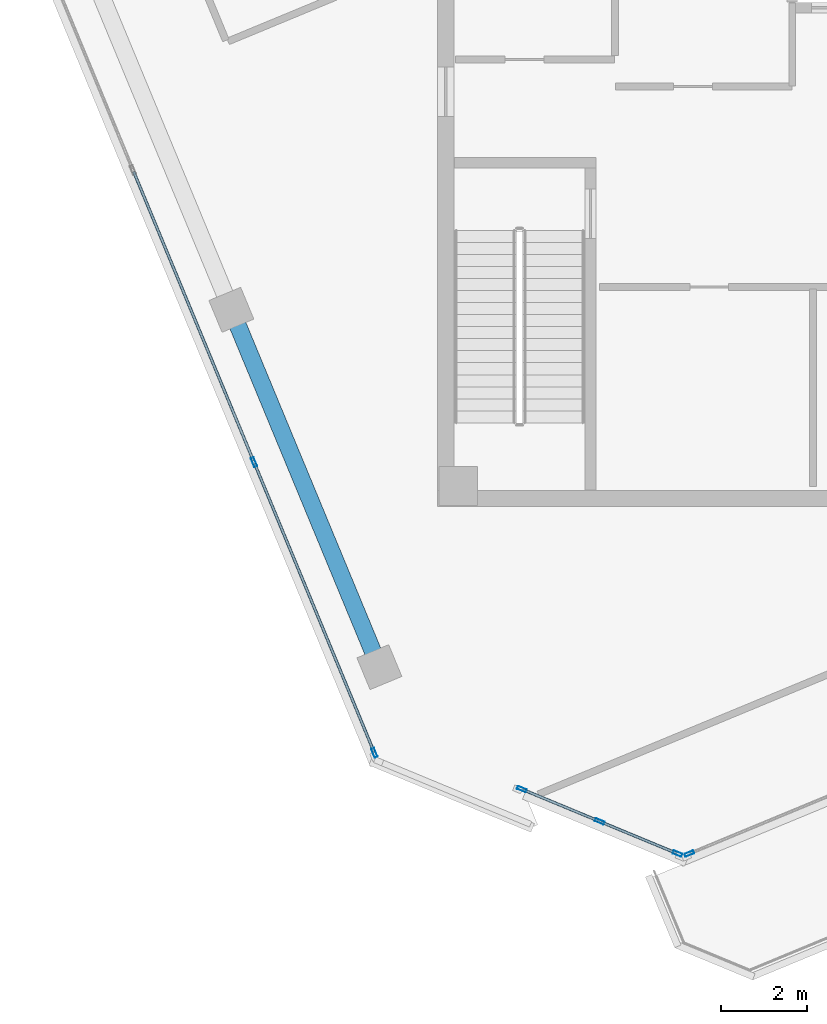
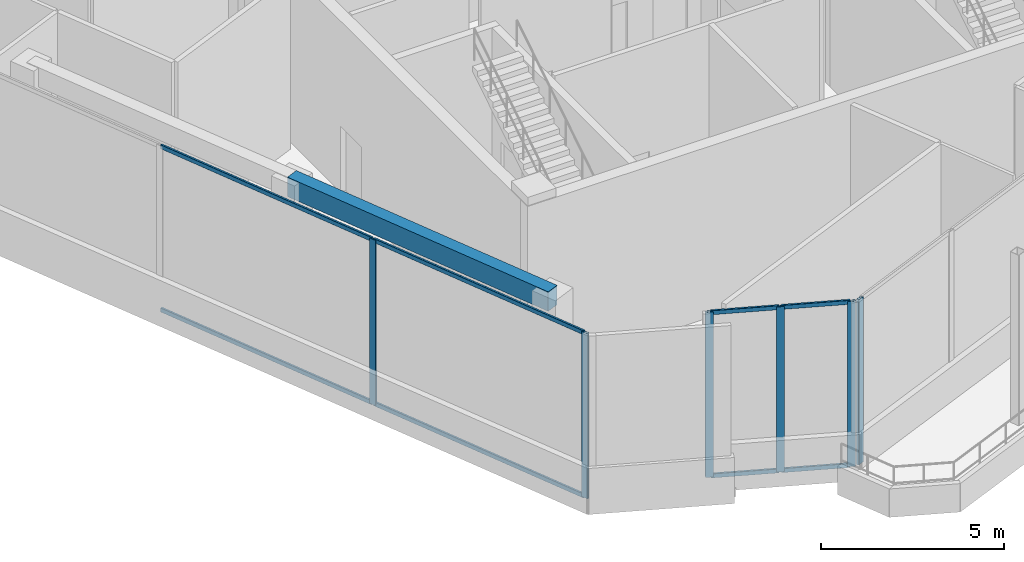
# One storey, part 3 of 16: 14 members, 1 beam, 3 elements without a shape of their own.
"""IFC4 building model written with IfcOpenShell, lengths in metres."""

from ifc_helpers import new_model, si_unit, direction, frame, origin, origin_2d, place, context, subcontext, project, spatial, rectangle, hollow_rectangle, extrude, source, transform, mapped, material, material_profile, profile_set, type_object, element, aggregate, save


model = new_model("IFC4")

# Units and contexts
model_context = context("Model", 3, precision=1e-05, world=origin(), true_north=direction((0.0, 1.0)))
body_context = subcontext(model_context, "Body", "Model", "MODEL_VIEW")
ifc_project = project(units=[si_unit("LENGTHUNIT", "METRE"), si_unit("AREAUNIT", "SQUARE_METRE"), si_unit("VOLUMEUNIT", "CUBIC_METRE"), si_unit("PLANEANGLEUNIT", "RADIAN"), si_unit("MASSUNIT", "GRAM", prefix="KILO")], contexts=[model_context])

# Site, building, storey
site_placement = place(None, origin())
site = spatial("IfcSite", under=ifc_project, at=site_placement, CompositionType="ELEMENT")
building_placement = place(site_placement, origin())
building = spatial("IfcBuilding", under=site, at=building_placement, Name="Torre Montelarca", CompositionType="ELEMENT")
storey_placement = place(building_placement, frame((0.0, 0.0, 360.0)))
storey = spatial("IfcBuildingStorey", under=building, at=storey_placement, Name="L81", CompositionType="ELEMENT", Elevation=360.0)

# Beam
ifc_material_1 = material(Name="Concrete C40/50", Category="concrete")
ifc_material_profile_1 = material_profile(ifc_material_1, rectangle(XDim=0.39990234375, YDim=0.64990234375, at=origin_2d()), Name="RCB400X650", Category="concrete")
ifc_profile_set_1 = profile_set([ifc_material_profile_1], Name="Concrete C40/50")
beam_type = type_object("IfcBeamType", Name="BM-SP-RC650-EXT", PredefinedType="SPANDREL", material=ifc_profile_set_1)
shared_shape_1 = source(origin(), body_context, "Body", "SweptSolid", [
    extrude(rectangle(XDim=0.39990234375, YDim=0.64990234375, at=origin_2d()), origin(), (0.0, 0.0, 1.0), 9.0),
])
beam_placement = place(storey_placement, frame((4.27001953125, 28.6513671875, 5.39501953125), z_axis=(0.382676821686, -0.923882270716, 0.0), x_axis=(0.923882270716, 0.382676821686, 0.0)))
element("IfcBeam", 1, at=beam_placement, inside=storey, type_object=beam_type, Name="L81 Grid Girder X 18.0-27.0 at Y=14.8", PredefinedType="SPANDREL", context=body_context, shape_type="MappedRepresentation", body=[
    mapped(shared_shape_1, transform((0.0, 0.0, 0.0), scale=1.0)),
])

# Curtain wall, members
ifc_material_2 = material(Name="Insulated low-E laminated glass", Category="glass")
curtain_wall_type = type_object("IfcCurtainWallType", Name="CW-SYS-Z4", PredefinedType="USERDEFINED", material=ifc_material_2)
curtain_wall_1_placement = place(storey_placement, origin())
curtain_wall_1 = element("IfcCurtainWall", 2, at=curtain_wall_1_placement, inside=storey, type_object=curtain_wall_type, Name="L81 Curtain Wall Run CW-T3-L81-E01-B1", ObjectType="UNITISED GLAZING", PredefinedType="USERDEFINED")
ifc_material_3 = material(Name="Anodised aluminium AA 6063-T6", Category="aluminium")
ifc_material_profile_2 = material_profile(ifc_material_3, hollow_rectangle(XDim=0.074951171875, YDim=0.219970703125, WallThickness=0.0048828125, InnerFilletRadius=0.0048828125, OuterFilletRadius=0.010009765625, at=origin_2d()), Name="ALU75X220X5", Category="aluminium")
ifc_profile_set_2 = profile_set([ifc_material_profile_2], Name="Anodised aluminium AA 6063-T6")
member_type_1 = type_object("IfcMemberType", Name="CWM-ALU220", PredefinedType="MULLION", material=ifc_profile_set_2)
shared_shape_2 = source(origin(), body_context, "Body", "SweptSolid", [
    extrude(hollow_rectangle(XDim=0.074951171875, YDim=0.219970703125, WallThickness=0.0048828125, InnerFilletRadius=0.0048828125, OuterFilletRadius=0.010009765625, at=origin_2d()), origin(), (0.0, 0.0, 1.0), 5.52001953125),
])
member_1_placement = place(storey_placement, frame((4.797119140625, 25.105224609375, 0.0), z_axis=(0.0, 0.0, 1.0), x_axis=(0.923880362312, 0.382681429043, 0.0)))
member_1 = element("IfcMember", 3, at=member_1_placement, type_object=member_type_1, Name="CW mullion 3", PredefinedType="MULLION", context=body_context, shape_type="MappedRepresentation", body=[
    mapped(shared_shape_2, transform((0.0, 0.0, 0.0), scale=1.0)),
])
member_2_placement = place(storey_placement, frame((7.59765625, 18.34375, 0.0), z_axis=(0.0, 0.0, 1.0), x_axis=(0.923880362312, 0.382681429043, 0.0)))
member_2 = element("IfcMember", 4, at=member_2_placement, type_object=member_type_1, Name="CW mullion 4", PredefinedType="MULLION", context=body_context, shape_type="MappedRepresentation", body=[
    mapped(shared_shape_2, transform((0.0, 0.0, 0.0), scale=1.0)),
])

curtain_wall_2_placement = place(storey_placement, origin())
curtain_wall_2 = element("IfcCurtainWall", 5, at=curtain_wall_2_placement, inside=storey, type_object=curtain_wall_type, Name="L81 Curtain Wall Run CW-T3-L81-E05-B1", ObjectType="UNITISED GLAZING", PredefinedType="USERDEFINED")
member_3_placement = place(storey_placement, frame((11.02880859375, 17.4970703125, 0.0), z_axis=(0.0, 0.0, 1.0), x_axis=(0.382681128122, 0.923880486956, 0.0)))
member_3 = element("IfcMember", 6, at=member_3_placement, type_object=member_type_1, Name="CW mullion 1", PredefinedType="MULLION", context=body_context, shape_type="MappedRepresentation", body=[
    mapped(shared_shape_2, transform((0.0, 0.0, 0.0), scale=1.0)),
])
member_4_placement = place(storey_placement, frame((12.83984375, 16.746826171875, 0.0), z_axis=(0.0, 0.0, 1.0), x_axis=(0.382681128122, 0.923880486956, 0.0)))
member_4 = element("IfcMember", 7, at=member_4_placement, type_object=member_type_1, Name="CW mullion 2", PredefinedType="MULLION", context=body_context, shape_type="MappedRepresentation", body=[
    mapped(shared_shape_2, transform((0.0, 0.0, 0.0), scale=1.0)),
])
member_5_placement = place(storey_placement, frame((14.651123046875, 15.99658203125, 0.0), z_axis=(0.0, 0.0, 1.0), x_axis=(0.382681128122, 0.923880486956, 0.0)))
member_5 = element("IfcMember", 8, at=member_5_placement, type_object=member_type_1, Name="CW mullion 3", PredefinedType="MULLION", context=body_context, shape_type="MappedRepresentation", body=[
    mapped(shared_shape_2, transform((0.0, 0.0, 0.0), scale=1.0)),
])

# Curtain wall, member
curtain_wall_3_placement = place(storey_placement, origin())
curtain_wall_3 = element("IfcCurtainWall", 9, at=curtain_wall_3_placement, inside=storey, type_object=curtain_wall_type, Name="L81 Curtain Wall Run CW-T3-L81-E06-B1", ObjectType="UNITISED GLAZING", PredefinedType="USERDEFINED")
member_6_placement = place(storey_placement, frame((14.92724609375, 15.99658203125, 0.0), z_axis=(0.0, 0.0, 1.0), x_axis=(-0.382676988458, 0.923882201639, 0.0)))
member_6 = element("IfcMember", 10, at=member_6_placement, type_object=member_type_1, Name="CW mullion 1", PredefinedType="MULLION", context=body_context, shape_type="MappedRepresentation", body=[
    mapped(shared_shape_2, transform((0.0, 0.0, 0.0), scale=1.0)),
])
aggregate(curtain_wall_3, [member_6])

# Member
ifc_material_profile_3 = material_profile(ifc_material_3, hollow_rectangle(XDim=0.06494140625, YDim=0.139892578125, WallThickness=0.00390625, InnerFilletRadius=0.00390625, OuterFilletRadius=0.008056640625, at=origin_2d()), Name="ALU65X140X4", Category="aluminium")
ifc_profile_set_3 = profile_set([ifc_material_profile_3], Name="Anodised aluminium AA 6063-T6")
member_type_2 = type_object("IfcMemberType", Name="CWT-ALU140", PredefinedType="USERDEFINED", material=ifc_profile_set_3)
shared_shape_3 = source(origin(), body_context, "Body", "SweptSolid", [
    extrude(hollow_rectangle(XDim=0.06494140625, YDim=0.139892578125, WallThickness=0.00390625, InnerFilletRadius=0.00390625, OuterFilletRadius=0.008056640625, at=origin_2d()), origin(), (0.0, 0.0, 1.0), 7.243408203125),
])
member_7_placement = place(storey_placement, frame((4.8115234375, 25.070556640625, 0.032470703125), z_axis=(0.382683203417, -0.923879627345, 0.0), x_axis=(0.923879627345, 0.382683203417, 0.0)))
member_7 = element("IfcMember", 11, at=member_7_placement, type_object=member_type_2, Name="CW transom 3.1", ObjectType="TRANSOM", PredefinedType="USERDEFINED", context=body_context, shape_type="MappedRepresentation", body=[
    mapped(shared_shape_3, transform((0.0, 0.0, 0.0), scale=1.0)),
])

member_8_placement = place(storey_placement, frame((4.8115234375, 25.070556640625, 5.487548828125), z_axis=(0.382683203417, -0.923879627345, 0.0), x_axis=(0.923879627345, 0.382683203417, 0.0)))
member_8 = element("IfcMember", 12, at=member_8_placement, type_object=member_type_2, Name="CW transom 3.2", ObjectType="TRANSOM", PredefinedType="USERDEFINED", context=body_context, shape_type="MappedRepresentation", body=[
    mapped(shared_shape_3, transform((0.0, 0.0, 0.0), scale=1.0)),
])

shared_shape_4 = source(origin(), body_context, "Body", "SweptSolid", [
    extrude(hollow_rectangle(XDim=0.06494140625, YDim=0.139892578125, WallThickness=0.00390625, InnerFilletRadius=0.00390625, OuterFilletRadius=0.008056640625, at=origin_2d()), origin(), (0.0, 0.0, 1.0), 7.281005859375),
])
member_9_placement = place(storey_placement, frame((1.996337890625, 31.86669921875, 0.032470703125), z_axis=(0.382688404185, -0.923877473101, 0.0), x_axis=(0.923877473101, 0.382688404185, 0.0)))
member_9 = element("IfcMember", 13, at=member_9_placement, type_object=member_type_2, Name="CW transom 2.1", ObjectType="TRANSOM", PredefinedType="USERDEFINED", context=body_context, shape_type="MappedRepresentation", body=[
    mapped(shared_shape_4, transform((0.0, 0.0, 0.0), scale=1.0)),
])

member_10_placement = place(storey_placement, frame((1.996337890625, 31.86669921875, 5.487548828125), z_axis=(0.382688404185, -0.923877473101, 0.0), x_axis=(0.923877473101, 0.382688404185, 0.0)))
member_10 = element("IfcMember", 14, at=member_10_placement, type_object=member_type_2, Name="CW transom 2.2", ObjectType="TRANSOM", PredefinedType="USERDEFINED", context=body_context, shape_type="MappedRepresentation", body=[
    mapped(shared_shape_4, transform((0.0, 0.0, 0.0), scale=1.0)),
])

aggregate(curtain_wall_1, [member_1, member_2, member_9, member_10, member_7, member_8])

shared_shape_5 = source(origin(), body_context, "Body", "SweptSolid", [
    extrude(hollow_rectangle(XDim=0.06494140625, YDim=0.139892578125, WallThickness=0.00390625, InnerFilletRadius=0.00390625, OuterFilletRadius=0.008056640625, at=origin_2d()), origin(), (0.0, 0.0, 1.0), 1.88525390625),
])
member_11_placement = place(storey_placement, frame((11.0634765625, 17.482666015625, 0.032470703125), z_axis=(0.923833721264, -0.382794011782, 0.0), x_axis=(0.382794011782, 0.923833721264, 0.0)))
member_11 = element("IfcMember", 15, at=member_11_placement, type_object=member_type_2, Name="CW transom 1.1", ObjectType="TRANSOM", PredefinedType="USERDEFINED", context=body_context, shape_type="MappedRepresentation", body=[
    mapped(shared_shape_5, transform((0.0, 0.0, 0.0), scale=1.0)),
])

member_12_placement = place(storey_placement, frame((11.0634765625, 17.482666015625, 5.487548828125), z_axis=(0.923833721264, -0.382794011782, 0.0), x_axis=(0.382794011782, 0.923833721264, 0.0)))
member_12 = element("IfcMember", 16, at=member_12_placement, type_object=member_type_2, Name="CW transom 1.2", ObjectType="TRANSOM", PredefinedType="USERDEFINED", context=body_context, shape_type="MappedRepresentation", body=[
    mapped(shared_shape_5, transform((0.0, 0.0, 0.0), scale=1.0)),
])

shared_shape_6 = source(origin(), body_context, "Body", "SweptSolid", [
    extrude(hollow_rectangle(XDim=0.06494140625, YDim=0.139892578125, WallThickness=0.00390625, InnerFilletRadius=0.00390625, OuterFilletRadius=0.008056640625, at=origin_2d()), origin(), (0.0, 0.0, 1.0), 1.885498046875),
])
member_13_placement = place(storey_placement, frame((12.87451171875, 16.732421875, 0.032470703125), z_axis=(0.923898474071, -0.382637700193, 0.0), x_axis=(0.382637700193, 0.923898474071, 0.0)))
member_13 = element("IfcMember", 17, at=member_13_placement, type_object=member_type_2, Name="CW transom 2.1", ObjectType="TRANSOM", PredefinedType="USERDEFINED", context=body_context, shape_type="MappedRepresentation", body=[
    mapped(shared_shape_6, transform((0.0, 0.0, 0.0), scale=1.0)),
])

member_14_placement = place(storey_placement, frame((12.87451171875, 16.732421875, 5.487548828125), z_axis=(0.923898474071, -0.382637700193, 0.0), x_axis=(0.382637700193, 0.923898474071, 0.0)))
member_14 = element("IfcMember", 18, at=member_14_placement, type_object=member_type_2, Name="CW transom 2.2", ObjectType="TRANSOM", PredefinedType="USERDEFINED", context=body_context, shape_type="MappedRepresentation", body=[
    mapped(shared_shape_6, transform((0.0, 0.0, 0.0), scale=1.0)),
])

aggregate(curtain_wall_2, [member_3, member_4, member_5, member_11, member_12, member_13, member_14])

save(model, "model.ifc")
